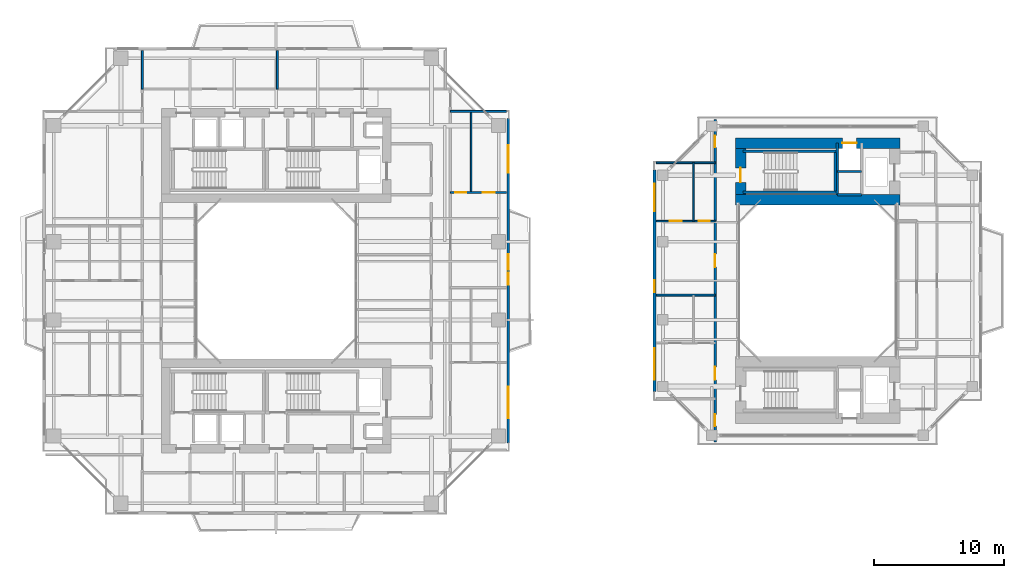
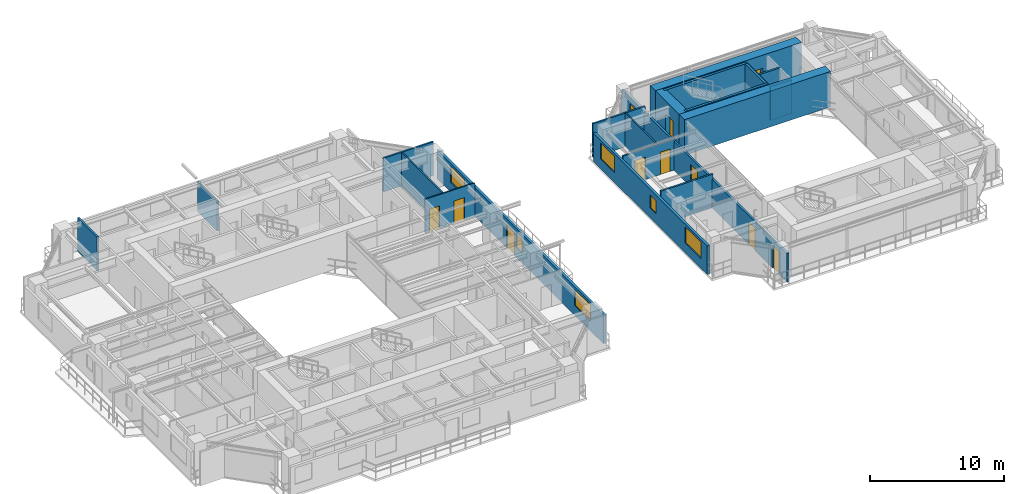
# One storey, part 18 of 24: 21 walls, 11 doors, 6 windows, 17 openings.
"""IFC4 building model written with IfcOpenShell, lengths in metres."""

from ifc_helpers import new_model, si_unit, direction, frame, frame_2d, origin, place, context, subcontext, project, spatial, rectangle, extrude, source, transform, mapped, material, layer, layer_set, type_object, element, fill, save


model = new_model("IFC4")

# Units and contexts
model_context = context("Model", 3, precision=1e-05, world=origin(), true_north=direction((0.0, 1.0)))
body_context = subcontext(model_context, "Body", "Model", "MODEL_VIEW")
ifc_project = project(units=[si_unit("LENGTHUNIT", "METRE"), si_unit("AREAUNIT", "SQUARE_METRE"), si_unit("VOLUMEUNIT", "CUBIC_METRE"), si_unit("PLANEANGLEUNIT", "RADIAN"), si_unit("MASSUNIT", "GRAM", prefix="KILO"), si_unit("THERMODYNAMICTEMPERATUREUNIT", "KELVIN"), si_unit("POWERUNIT", "WATT")], contexts=[model_context])

# Site, building, storey
site_placement = place(None, origin())
site = spatial("IfcSite", under=ifc_project, at=site_placement, CompositionType="ELEMENT")
building_placement = place(site_placement, origin())
building = spatial("IfcBuilding", under=site, at=building_placement, Name="Qiaomeng Ring Towers", CompositionType="ELEMENT")
storey_placement = place(building_placement, frame((0.0, 0.0, 106.75)))
storey = spatial("IfcBuildingStorey", under=building, at=storey_placement, Name="L30", CompositionType="ELEMENT", Elevation=106.75)

# Wall, openings, windows, door
ifc_material_1 = material(Name="Precast concrete C40", Category="concrete")
ifc_layer_1 = layer(ifc_material_1, 0.219970703125, Name="Precast concrete C40")
ifc_layer_set_1 = layer_set([ifc_layer_1], Name="Precast concrete C40")
wall_type_1 = type_object("IfcWallType", Name="ARC-WL-EW2", PredefinedType="STANDARD", material=ifc_layer_set_1)
wall_1_placement = place(storey_placement, frame((36.7900390625, 10.550048828125, 0.0), z_axis=(0.0, 0.0, 1.0), x_axis=(0.0, 1.0, 0.0)))
wall_1 = element("IfcWall", 1, at=wall_1_placement, inside=storey, type_object=wall_type_1, Name="L30 Tower 1 E Exterior Wall", PredefinedType="STANDARD", context=body_context, shape_type="SweptSolid", body=[
    extrude(rectangle(XDim=24.89990234375, YDim=0.219970703125, at=frame_2d((12.449951171875, 0.0))), origin(), (0.0, 0.0, 1.0), 2.610107421875),
])
opening_1_placement = place(wall_1_placement, frame((13.300048828125, 0.0, 0.0)))
opening_1 = element("IfcOpeningElement", 2, at=opening_1_placement, cuts=wall_1, Name="Opening BD1", PredefinedType="OPENING", context=body_context, shape_type="SweptSolid", body=[
    extrude(rectangle(XDim=1.199951171875, YDim=2.10009765625, at=frame_2d((0.60009765625, 1.050048828125))), frame((0.0, 0.119873046875, 0.0), z_axis=(0.0, -1.0, 0.0), x_axis=(1.0, 0.0, 0.0)), (0.0, 0.0, 1.0), 0.239990234375),
])
opening_2_placement = place(wall_1_placement, frame((1.912109375, 0.0, 0.89990234375)))
opening_2 = element("IfcOpeningElement", 3, at=opening_2_placement, cuts=wall_1, Name="Opening WN6", PredefinedType="OPENING", context=body_context, shape_type="SweptSolid", body=[
    extrude(rectangle(XDim=2.39990234375, YDim=1.47998046875, at=frame_2d((1.199951171875, 0.739990234375))), frame((0.0, 0.119873046875, 0.0), z_axis=(0.0, -1.0, 0.0), x_axis=(1.0, 0.0, 0.0)), (0.0, 0.0, 1.0), 0.239990234375),
])
opening_3_placement = place(wall_1_placement, frame((20.737060546875, 0.0, 0.89990234375)))
opening_3 = element("IfcOpeningElement", 4, at=opening_3_placement, cuts=wall_1, Name="Opening WN4", PredefinedType="OPENING", context=body_context, shape_type="SweptSolid", body=[
    extrude(rectangle(XDim=2.10009765625, YDim=1.47998046875, at=frame_2d((1.050048828125, 0.739990234375))), frame((0.0, 0.119873046875, 0.0), z_axis=(0.0, -1.0, 0.0), x_axis=(1.0, 0.0, 0.0)), (0.0, 0.0, 1.0), 0.239990234375),
])
opening_4_placement = place(wall_1_placement, frame((12.1650390625, 0.0, 0.89990234375)))
opening_4 = element("IfcOpeningElement", 5, at=opening_4_placement, cuts=wall_1, Name="Opening WN5", PredefinedType="OPENING", context=body_context, shape_type="SweptSolid", body=[
    extrude(rectangle(XDim=0.89990234375, YDim=1.199951171875, at=frame_2d((0.449951171875, 0.60009765625))), frame((0.0, 0.119873046875, 0.0), z_axis=(0.0, -1.0, 0.0), x_axis=(1.0, 0.0, 0.0)), (0.0, 0.0, 1.0), 0.239990234375),
])
ifc_material_2 = material(Name="Low-E dark-grey laminated double glazing", Category="glass")
window_type_1 = type_object("IfcWindowType", Name="ARC-WN-4", PartitioningType="TRIPLE_PANEL_VERTICAL", PredefinedType="WINDOW", material=ifc_material_2)
shared_shape_1 = source(origin(), body_context, "Body", "SweptSolid", [
    extrude(rectangle(XDim=2.10009765625, YDim=1.47998046875, at=frame_2d((1.050048828125, 0.739990234375))), frame((0.0, 0.030029296875, 0.0), z_axis=(0.0, -1.0, 0.0), x_axis=(1.0, 0.0, 0.0)), (0.0, 0.0, 1.0), 0.06005859375),
])
window_1_placement = place(opening_3_placement, origin())
window_1 = element("IfcWindow", 6, at=window_1_placement, inside=storey, type_object=window_type_1, Name="L30 Exterior Window WN4", OverallHeight=1.47998046875, OverallWidth=2.10009765625, PartitioningType="TRIPLE_PANEL_VERTICAL", PredefinedType="WINDOW", context=body_context, shape_type="MappedRepresentation", body=[
    mapped(shared_shape_1, transform((0.0, 0.0, 0.0), x_axis=(1.0, 0.0, 0.0), y_axis=(0.0, 1.0, 0.0), z_axis=(0.0, 0.0, 1.0), scale=1.0)),
])
fill(opening_3, window_1)
window_type_2 = type_object("IfcWindowType", Name="ARC-WN-6", PartitioningType="TRIPLE_PANEL_VERTICAL", PredefinedType="WINDOW", material=ifc_material_2)
shared_shape_2 = source(origin(), body_context, "Body", "SweptSolid", [
    extrude(rectangle(XDim=2.39990234375, YDim=1.47998046875, at=frame_2d((1.199951171875, 0.739990234375))), frame((0.0, 0.030029296875, 0.0), z_axis=(0.0, -1.0, 0.0), x_axis=(1.0, 0.0, 0.0)), (0.0, 0.0, 1.0), 0.06005859375),
])
window_2_placement = place(opening_2_placement, origin())
window_2 = element("IfcWindow", 7, at=window_2_placement, inside=storey, type_object=window_type_2, Name="L30 Exterior Window WN6", OverallHeight=1.47998046875, OverallWidth=2.39990234375, PartitioningType="TRIPLE_PANEL_VERTICAL", PredefinedType="WINDOW", context=body_context, shape_type="MappedRepresentation", body=[
    mapped(shared_shape_2, transform((0.0, 0.0, 0.0), x_axis=(1.0, 0.0, 0.0), y_axis=(0.0, 1.0, 0.0), z_axis=(0.0, 0.0, 1.0), scale=1.0)),
])
fill(opening_2, window_2)
door_type_1 = type_object("IfcDoorType", Name="ARC-DR-BD1", OperationType="NOTDEFINED", PredefinedType="DOOR", material=ifc_material_2)
shared_shape_3 = source(origin(), body_context, "Body", "SweptSolid", [
    extrude(rectangle(XDim=1.199951171875, YDim=2.10009765625, at=frame_2d((0.60009765625, 1.050048828125))), frame((0.0, 0.02490234375, 0.0), z_axis=(0.0, -1.0, 0.0), x_axis=(1.0, 0.0, 0.0)), (0.0, 0.0, 1.0), 0.050048828125),
])
door_1_placement = place(opening_1_placement, origin())
door_1 = element("IfcDoor", 8, at=door_1_placement, inside=storey, type_object=door_type_1, Name="L30 E Balcony Glazed Door", OperationType="SINGLE_SWING_LEFT", OverallHeight=2.10009765625, OverallWidth=1.199951171875, PredefinedType="DOOR", context=body_context, shape_type="MappedRepresentation", body=[
    mapped(shared_shape_3, transform((0.0, 0.0, 0.0), x_axis=(1.0, 0.0, 0.0), y_axis=(0.0, 1.0, 0.0), z_axis=(0.0, 0.0, 1.0), scale=1.0)),
])
fill(opening_1, door_1)
window_type_3 = type_object("IfcWindowType", Name="ARC-WN-5", PartitioningType="SINGLE_PANEL", PredefinedType="WINDOW", material=ifc_material_2)
shared_shape_4 = source(origin(), body_context, "Body", "SweptSolid", [
    extrude(rectangle(XDim=0.89990234375, YDim=1.199951171875, at=frame_2d((0.449951171875, 0.60009765625))), frame((0.0, 0.030029296875, 0.0), z_axis=(0.0, -1.0, 0.0), x_axis=(1.0, 0.0, 0.0)), (0.0, 0.0, 1.0), 0.06005859375),
])
window_3_placement = place(opening_4_placement, origin())
window_3 = element("IfcWindow", 9, at=window_3_placement, inside=storey, type_object=window_type_3, Name="L30 Exterior Window WN5", OverallHeight=1.199951171875, OverallWidth=0.89990234375, PartitioningType="SINGLE_PANEL", PredefinedType="WINDOW", context=body_context, shape_type="MappedRepresentation", body=[
    mapped(shared_shape_4, transform((0.0, 0.0, 0.0), x_axis=(1.0, 0.0, 0.0), y_axis=(0.0, 1.0, 0.0), z_axis=(0.0, 0.0, 1.0), scale=1.0)),
])
fill(opening_4, window_3)

# Wall, openings, windows
wall_2_placement = place(storey_placement, frame((48.010009765625, 14.5, 0.0), z_axis=(0.0, 0.0, 1.0), x_axis=(0.0, 1.0, 0.0)))
wall_2 = element("IfcWall", 10, at=wall_2_placement, inside=storey, type_object=wall_type_1, Name="L30 Companion West Wall", PredefinedType="STANDARD", context=body_context, shape_type="SweptSolid", body=[
    extrude(rectangle(XDim=17.0, YDim=0.219970703125, at=frame_2d((8.5, 0.0))), origin(), (0.0, 0.0, 1.0), 2.610107421875),
])
opening_5_placement = place(wall_2_placement, frame((0.925048828125, 0.0, 0.89990234375)))
opening_5 = element("IfcOpeningElement", 11, at=opening_5_placement, cuts=wall_2, Name="Opening WN6", PredefinedType="OPENING", context=body_context, shape_type="SweptSolid", body=[
    extrude(rectangle(XDim=2.39990234375, YDim=1.47998046875, at=frame_2d((1.199951171875, 0.739990234375))), frame((0.0, 0.119873046875, 0.0), z_axis=(0.0, -1.0, 0.0), x_axis=(1.0, 0.0, 0.0)), (0.0, 0.0, 1.0), 0.239990234375),
])
opening_6_placement = place(wall_2_placement, frame((13.824951171875, 0.0, 0.89990234375)))
opening_6 = element("IfcOpeningElement", 12, at=opening_6_placement, cuts=wall_2, Name="Opening WN4", PredefinedType="OPENING", context=body_context, shape_type="SweptSolid", body=[
    extrude(rectangle(XDim=2.10009765625, YDim=1.47998046875, at=frame_2d((1.050048828125, 0.739990234375))), frame((0.0, 0.119873046875, 0.0), z_axis=(0.0, -1.0, 0.0), x_axis=(1.0, 0.0, 0.0)), (0.0, 0.0, 1.0), 0.239990234375),
])
opening_7_placement = place(wall_2_placement, frame((7.635009765625, 0.0, 0.89990234375)))
opening_7 = element("IfcOpeningElement", 13, at=opening_7_placement, cuts=wall_2, Name="Opening WN5", PredefinedType="OPENING", context=body_context, shape_type="SweptSolid", body=[
    extrude(rectangle(XDim=0.89990234375, YDim=1.199951171875, at=frame_2d((0.449951171875, 0.60009765625))), frame((0.0, 0.119873046875, 0.0), z_axis=(0.0, -1.0, 0.0), x_axis=(1.0, 0.0, 0.0)), (0.0, 0.0, 1.0), 0.239990234375),
])
window_4_placement = place(opening_6_placement, origin())
window_4 = element("IfcWindow", 14, at=window_4_placement, inside=storey, type_object=window_type_1, Name="L30 Exterior Window WN4", OverallHeight=1.47998046875, OverallWidth=2.10009765625, PartitioningType="TRIPLE_PANEL_VERTICAL", PredefinedType="WINDOW", context=body_context, shape_type="MappedRepresentation", body=[
    mapped(shared_shape_1, transform((0.0, 0.0, 0.0), x_axis=(1.0, 0.0, 0.0), y_axis=(0.0, 1.0, 0.0), z_axis=(0.0, 0.0, 1.0), scale=1.0)),
])
fill(opening_6, window_4)
window_5_placement = place(opening_5_placement, origin())
window_5 = element("IfcWindow", 15, at=window_5_placement, inside=storey, type_object=window_type_2, Name="L30 Exterior Window WN6", OverallHeight=1.47998046875, OverallWidth=2.39990234375, PartitioningType="TRIPLE_PANEL_VERTICAL", PredefinedType="WINDOW", context=body_context, shape_type="MappedRepresentation", body=[
    mapped(shared_shape_2, transform((0.0, 0.0, 0.0), x_axis=(1.0, 0.0, 0.0), y_axis=(0.0, 1.0, 0.0), z_axis=(0.0, 0.0, 1.0), scale=1.0)),
])
fill(opening_5, window_5)
window_6_placement = place(opening_7_placement, origin())
window_6 = element("IfcWindow", 16, at=window_6_placement, inside=storey, type_object=window_type_3, Name="L30 Exterior Window WN5", OverallHeight=1.199951171875, OverallWidth=0.89990234375, PartitioningType="SINGLE_PANEL", PredefinedType="WINDOW", context=body_context, shape_type="MappedRepresentation", body=[
    mapped(shared_shape_4, transform((0.0, 0.0, 0.0), x_axis=(1.0, 0.0, 0.0), y_axis=(0.0, 1.0, 0.0), z_axis=(0.0, 0.0, 1.0), scale=1.0)),
])
fill(opening_7, window_6)

# Wall, openings, doors
ifc_material_3 = material(Name="Autoclaved aerated concrete block", Category="concrete")
ifc_layer_2 = layer(ifc_material_3, 0.179931640625, Name="Autoclaved aerated concrete block")
ifc_layer_set_2 = layer_set([ifc_layer_2], Name="Autoclaved aerated concrete block")
wall_type_2 = type_object("IfcWallType", Name="ARC-WL-PW2", PredefinedType="PARTITIONING", material=ifc_layer_set_2)
wall_3_placement = place(storey_placement, frame((52.64990234375, 10.64990234375, 0.0), z_axis=(0.0, 0.0, 1.0), x_axis=(0.0, 1.0, 0.0)))
wall_3 = element("IfcWall", 17, at=wall_3_placement, inside=storey, type_object=wall_type_2, Name="L30 Interior Wall PW2", PredefinedType="PARTITIONING", context=body_context, shape_type="SweptSolid", body=[
    extrude(rectangle(XDim=24.7001953125, YDim=0.179931640625, at=frame_2d((12.35009765625, 0.0))), origin(), (0.0, 0.0, 1.0), 2.614990234375),
])
opening_8_placement = place(wall_3_placement, frame((22.580078125, 0.0, 0.0)))
opening_8 = element("IfcOpeningElement", 18, at=opening_8_placement, cuts=wall_3, Name="Opening ID1", PredefinedType="OPENING", context=body_context, shape_type="SweptSolid", body=[
    extrude(rectangle(XDim=0.89990234375, YDim=2.050048828125, at=frame_2d((0.449951171875, 1.02490234375))), frame((0.0, 0.099853515625, 0.0), z_axis=(0.0, -1.0, 0.0), x_axis=(1.0, 0.0, 0.0)), (0.0, 0.0, 1.0), 0.199951171875),
])
opening_9_placement = place(wall_3_placement, frame((1.219970703125, 0.0, 0.0)))
opening_9 = element("IfcOpeningElement", 19, at=opening_9_placement, cuts=wall_3, Name="Opening ID1", PredefinedType="OPENING", context=body_context, shape_type="SweptSolid", body=[
    extrude(rectangle(XDim=0.89990234375, YDim=2.050048828125, at=frame_2d((0.449951171875, 1.02490234375))), frame((0.0, 0.099853515625, 0.0), z_axis=(0.0, -1.0, 0.0), x_axis=(1.0, 0.0, 0.0)), (0.0, 0.0, 1.0), 0.199951171875),
])
opening_10_placement = place(wall_3_placement, frame((4.7548828125, 0.0, 0.0)))
opening_10 = element("IfcOpeningElement", 20, at=opening_10_placement, cuts=wall_3, Name="Opening FD4", PredefinedType="OPENING", context=body_context, shape_type="SweptSolid", body=[
    extrude(rectangle(XDim=1.0, YDim=2.050048828125, at=frame_2d((0.5, 1.02490234375))), frame((0.0, 0.099853515625, 0.0), z_axis=(0.0, -1.0, 0.0), x_axis=(1.0, 0.0, 0.0)), (0.0, 0.0, 1.0), 0.199951171875),
])
opening_11_placement = place(wall_3_placement, frame((13.39990234375, 0.0, 0.0)))
opening_11 = element("IfcOpeningElement", 21, at=opening_11_placement, cuts=wall_3, Name="Opening FD4", PredefinedType="OPENING", context=body_context, shape_type="SweptSolid", body=[
    extrude(rectangle(XDim=1.0, YDim=2.050048828125, at=frame_2d((0.5, 1.02490234375))), frame((0.0, 0.099853515625, 0.0), z_axis=(0.0, -1.0, 0.0), x_axis=(1.0, 0.0, 0.0)), (0.0, 0.0, 1.0), 0.199951171875),
])
ifc_material_4 = material(Name="Engineered fire-rated oak timber", Category="wood")
door_type_2 = type_object("IfcDoorType", Name="ARC-DR-FD4", OperationType="NOTDEFINED", PredefinedType="DOOR", material=ifc_material_4)
shared_shape_5 = source(origin(), body_context, "Body", "SweptSolid", [
    extrude(rectangle(XDim=1.0, YDim=2.050048828125, at=frame_2d((0.5, 1.02490234375))), frame((0.0, 0.02490234375, 0.0), z_axis=(0.0, -1.0, 0.0), x_axis=(1.0, 0.0, 0.0)), (0.0, 0.0, 1.0), 0.050048828125),
])
door_2_placement = place(opening_10_placement, origin())
door_2 = element("IfcDoor", 22, at=door_2_placement, inside=storey, type_object=door_type_2, Name="L30 Door FD4", OperationType="SINGLE_SWING_LEFT", OverallHeight=2.050048828125, OverallWidth=1.0, PredefinedType="DOOR", context=body_context, shape_type="MappedRepresentation", body=[
    mapped(shared_shape_5, transform((0.0, 0.0, 0.0), x_axis=(1.0, 0.0, 0.0), y_axis=(0.0, 1.0, 0.0), z_axis=(0.0, 0.0, 1.0), scale=1.0)),
])
fill(opening_10, door_2)
door_3_placement = place(opening_11_placement, origin())
door_3 = element("IfcDoor", 23, at=door_3_placement, inside=storey, type_object=door_type_2, Name="L30 Door FD4", OperationType="SINGLE_SWING_RIGHT", OverallHeight=2.050048828125, OverallWidth=1.0, PredefinedType="DOOR", context=body_context, shape_type="MappedRepresentation", body=[
    mapped(shared_shape_5, transform((0.0, 0.0, 0.0), x_axis=(1.0, 0.0, 0.0), y_axis=(0.0, 1.0, 0.0), z_axis=(0.0, 0.0, 1.0), scale=1.0)),
])
fill(opening_11, door_3)
ifc_material_5 = material(Name="Engineered oak timber", Category="wood")
door_type_3 = type_object("IfcDoorType", Name="ARC-DR-ID1", OperationType="NOTDEFINED", PredefinedType="DOOR", material=ifc_material_5)
shared_shape_6 = source(origin(), body_context, "Body", "SweptSolid", [
    extrude(rectangle(XDim=0.89990234375, YDim=2.050048828125, at=frame_2d((0.449951171875, 1.02490234375))), frame((0.0, 0.02490234375, 0.0), z_axis=(0.0, -1.0, 0.0), x_axis=(1.0, 0.0, 0.0)), (0.0, 0.0, 1.0), 0.050048828125),
])
door_4_placement = place(opening_8_placement, origin())
door_4 = element("IfcDoor", 24, at=door_4_placement, inside=storey, type_object=door_type_3, Name="L30 Door ID1", OperationType="SINGLE_SWING_LEFT", OverallHeight=2.050048828125, OverallWidth=0.89990234375, PredefinedType="DOOR", context=body_context, shape_type="MappedRepresentation", body=[
    mapped(shared_shape_6, transform((0.0, 0.0, 0.0), x_axis=(1.0, 0.0, 0.0), y_axis=(0.0, 1.0, 0.0), z_axis=(0.0, 0.0, 1.0), scale=1.0)),
])
fill(opening_8, door_4)
door_5_placement = place(opening_9_placement, origin())
door_5 = element("IfcDoor", 25, at=door_5_placement, inside=storey, type_object=door_type_3, Name="L30 Door ID1", OperationType="SINGLE_SWING_RIGHT", OverallHeight=2.050048828125, OverallWidth=0.89990234375, PredefinedType="DOOR", context=body_context, shape_type="MappedRepresentation", body=[
    mapped(shared_shape_6, transform((0.0, 0.0, 0.0), x_axis=(1.0, 0.0, 0.0), y_axis=(0.0, 1.0, 0.0), z_axis=(0.0, 0.0, 1.0), scale=1.0)),
])
fill(opening_9, door_5)

# Walls
ifc_material_6 = material(Name="Gypsum fireboard steel-stud partition", Category="steel")
ifc_layer_3 = layer(ifc_material_6, 0.14990234375, Name="Gypsum fireboard steel-stud partition")
ifc_layer_set_3 = layer_set([ifc_layer_3], Name="Gypsum fireboard steel-stud partition")
wall_type_3 = type_object("IfcWallType", Name="ARC-WL-PW3", PredefinedType="PARTITIONING", material=ifc_layer_set_3)
wall_4_placement = place(storey_placement, frame((19.10009765625, 37.699951171875, 0.0), z_axis=(0.0, 0.0, 1.0), x_axis=(0.0, 1.0, 0.0)))
element("IfcWall", 26, at=wall_4_placement, inside=storey, type_object=wall_type_3, Name="L30 Interior Wall PW3", PredefinedType="PARTITIONING", context=body_context, shape_type="SweptSolid", body=[
    extrude(rectangle(XDim=2.949951171875, YDim=0.14990234375, at=frame_2d((1.47509765625, 0.0))), origin(), (0.0, 0.0, 1.0), 2.715087890625),
])
wall_5_placement = place(storey_placement, frame((8.75, 37.699951171875, 0.0), z_axis=(0.0, 0.0, 1.0), x_axis=(0.0, 1.0, 0.0)))
element("IfcWall", 27, at=wall_5_placement, inside=storey, type_object=wall_type_3, Name="L30 Interior Wall PW3", PredefinedType="PARTITIONING", context=body_context, shape_type="SweptSolid", body=[
    extrude(rectangle(XDim=2.949951171875, YDim=0.14990234375, at=frame_2d((1.47509765625, 0.0))), origin(), (0.0, 0.0, 1.0), 3.070068359375),
])
wall_6_placement = place(storey_placement, frame((32.360107421875, 35.97998046875, 0.0), z_axis=(0.0, 0.0, 1.0), x_axis=(1.0, 0.0, 0.0)))
element("IfcWall", 28, at=wall_6_placement, inside=storey, type_object=wall_type_3, Name="L30 Interior Wall PW3", PredefinedType="PARTITIONING", context=body_context, shape_type="SweptSolid", body=[
    extrude(rectangle(XDim=4.289794921875, YDim=0.14990234375, at=frame_2d((2.14501953125, 0.0))), origin(), (0.0, 0.0, 1.0), 3.070068359375),
])
for number, where, z_axis, x_axis, name in (
    (29, (48.14990234375, 32.050048828125, 0.0), (0.0, 0.0, 1.0), (1.0, 0.0, 0.0), "L30 Interior Wall PW3"),
    (30, (48.14990234375, 21.89990234375, 0.0), (0.0, 0.0, 1.0), (1.0, 0.0, 0.0), "L30 Interior Wall PW3"),
):
    element("IfcWall", number, at=place(storey_placement, frame(where, z_axis=z_axis, x_axis=x_axis)), inside=storey, type_object=wall_type_3, Name=name, PredefinedType="PARTITIONING", context=body_context, shape_type="SweptSolid", body=[
        extrude(rectangle(XDim=4.5, YDim=0.14990234375, at=frame_2d((2.25, 0.0))), origin(), (0.0, 0.0, 1.0), 3.070068359375),
    ])

# Wall, openings, doors
ifc_material_7 = material(Name="Moisture-resistant gypsum steel-stud partition", Category="steel")
ifc_layer_4 = layer(ifc_material_7, 0.1201171875, Name="Moisture-resistant gypsum steel-stud partition")
ifc_layer_set_4 = layer_set([ifc_layer_4], Name="Moisture-resistant gypsum steel-stud partition")
wall_type_4 = type_object("IfcWallType", Name="ARC-WL-PW4", PredefinedType="PLUMBINGWALL", material=ifc_layer_set_4)
wall_7_placement = place(storey_placement, frame((32.360107421875, 29.77001953125, 0.0), z_axis=(0.0, 0.0, 1.0), x_axis=(1.0, 0.0, 0.0)))
wall_7 = element("IfcWall", 31, at=wall_7_placement, inside=storey, type_object=wall_type_4, Name="L30 Interior Wall PW4", PredefinedType="PLUMBINGWALL", context=body_context, shape_type="SweptSolid", body=[
    extrude(rectangle(XDim=4.289794921875, YDim=0.1201171875, at=frame_2d((2.14501953125, 0.0))), origin(), (0.0, 0.0, 1.0), 3.070068359375),
])
opening_12_placement = place(wall_7_placement, frame((0.3798828125, 0.0, 0.0)))
opening_12 = element("IfcOpeningElement", 32, at=opening_12_placement, cuts=wall_7, Name="Opening ID2", PredefinedType="OPENING", context=body_context, shape_type="SweptSolid", body=[
    extrude(rectangle(XDim=0.85009765625, YDim=2.050048828125, at=frame_2d((0.425048828125, 1.02490234375))), frame((0.0, 0.070068359375, 0.0), z_axis=(0.0, -1.0, 0.0), x_axis=(1.0, 0.0, 0.0)), (0.0, 0.0, 1.0), 0.14013671875),
])
opening_13_placement = place(wall_7_placement, frame((2.47998046875, 0.0, 0.0)))
opening_13 = element("IfcOpeningElement", 33, at=opening_13_placement, cuts=wall_7, Name="Opening ID1", PredefinedType="OPENING", context=body_context, shape_type="SweptSolid", body=[
    extrude(rectangle(XDim=0.89990234375, YDim=2.050048828125, at=frame_2d((0.449951171875, 1.02490234375))), frame((0.0, 0.070068359375, 0.0), z_axis=(0.0, -1.0, 0.0), x_axis=(1.0, 0.0, 0.0)), (0.0, 0.0, 1.0), 0.14013671875),
])
ifc_material_8 = material(Name="Moisture-resistant engineered timber", Category="wood")
door_type_4 = type_object("IfcDoorType", Name="ARC-DR-ID2", OperationType="NOTDEFINED", PredefinedType="DOOR", material=ifc_material_8)
shared_shape_7 = source(origin(), body_context, "Body", "SweptSolid", [
    extrude(rectangle(XDim=0.85009765625, YDim=2.050048828125, at=frame_2d((0.425048828125, 1.02490234375))), frame((0.0, 0.02490234375, 0.0), z_axis=(0.0, -1.0, 0.0), x_axis=(1.0, 0.0, 0.0)), (0.0, 0.0, 1.0), 0.050048828125),
])
door_6_placement = place(opening_12_placement, origin())
door_6 = element("IfcDoor", 34, at=door_6_placement, inside=storey, type_object=door_type_4, Name="L30 Door ID2", OperationType="SINGLE_SWING_LEFT", OverallHeight=2.050048828125, OverallWidth=0.85009765625, PredefinedType="DOOR", context=body_context, shape_type="MappedRepresentation", body=[
    mapped(shared_shape_7, transform((0.0, 0.0, 0.0), x_axis=(1.0, 0.0, 0.0), y_axis=(0.0, 1.0, 0.0), z_axis=(0.0, 0.0, 1.0), scale=1.0)),
])
fill(opening_12, door_6)
door_7_placement = place(opening_13_placement, origin())
door_7 = element("IfcDoor", 35, at=door_7_placement, inside=storey, type_object=door_type_3, Name="L30 Door ID1", OperationType="SINGLE_SWING_RIGHT", OverallHeight=2.050048828125, OverallWidth=0.89990234375, PredefinedType="DOOR", context=body_context, shape_type="MappedRepresentation", body=[
    mapped(shared_shape_6, transform((0.0, 0.0, 0.0), x_axis=(1.0, 0.0, 0.0), y_axis=(0.0, 1.0, 0.0), z_axis=(0.0, 0.0, 1.0), scale=1.0)),
])
fill(opening_13, door_7)

# Wall
wall_8_placement = place(storey_placement, frame((33.949951171875, 29.77001953125, 0.0), z_axis=(0.0, 0.0, 1.0), x_axis=(0.0, 1.0, 0.0)))
element("IfcWall", 36, at=wall_8_placement, inside=storey, type_object=wall_type_4, Name="L30 Interior Wall PW4", PredefinedType="PLUMBINGWALL", context=body_context, shape_type="SweptSolid", body=[
    extrude(rectangle(XDim=6.2099609375, YDim=0.1201171875, at=frame_2d((3.10498046875, 0.0))), origin(), (0.0, 0.0, 1.0), 3.070068359375),
])

# Wall, openings, doors
wall_9_placement = place(storey_placement, frame((48.14990234375, 27.580078125, 0.0), z_axis=(0.0, 0.0, 1.0), x_axis=(1.0, 0.0, 0.0)))
wall_9 = element("IfcWall", 37, at=wall_9_placement, inside=storey, type_object=wall_type_4, Name="L30 Interior Wall PW4", PredefinedType="PLUMBINGWALL", context=body_context, shape_type="SweptSolid", body=[
    extrude(rectangle(XDim=4.5, YDim=0.1201171875, at=frame_2d((2.25, 0.0))), origin(), (0.0, 0.0, 1.0), 2.81494140625),
])
opening_14_placement = place(wall_9_placement, frame((1.035888671875, 0.0, 0.0)))
opening_14 = element("IfcOpeningElement", 38, at=opening_14_placement, cuts=wall_9, Name="Opening ID1", PredefinedType="OPENING", context=body_context, shape_type="SweptSolid", body=[
    extrude(rectangle(XDim=0.89990234375, YDim=2.050048828125, at=frame_2d((0.449951171875, 1.02490234375))), frame((0.0, 0.070068359375, 0.0), z_axis=(0.0, -1.0, 0.0), x_axis=(1.0, 0.0, 0.0)), (0.0, 0.0, 1.0), 0.14013671875),
])
opening_15_placement = place(wall_9_placement, frame((3.22998046875, 0.0, 0.0)))
opening_15 = element("IfcOpeningElement", 39, at=opening_15_placement, cuts=wall_9, Name="Opening ID2", PredefinedType="OPENING", context=body_context, shape_type="SweptSolid", body=[
    extrude(rectangle(XDim=0.85009765625, YDim=2.050048828125, at=frame_2d((0.425048828125, 1.02490234375))), frame((0.0, 0.070068359375, 0.0), z_axis=(0.0, -1.0, 0.0), x_axis=(1.0, 0.0, 0.0)), (0.0, 0.0, 1.0), 0.14013671875),
])
door_8_placement = place(opening_15_placement, origin())
door_8 = element("IfcDoor", 40, at=door_8_placement, inside=storey, type_object=door_type_4, Name="L30 Door ID2", OperationType="SINGLE_SWING_RIGHT", OverallHeight=2.050048828125, OverallWidth=0.85009765625, PredefinedType="DOOR", context=body_context, shape_type="MappedRepresentation", body=[
    mapped(shared_shape_7, transform((0.0, 0.0, 0.0), x_axis=(1.0, 0.0, 0.0), y_axis=(0.0, 1.0, 0.0), z_axis=(0.0, 0.0, 1.0), scale=1.0)),
])
fill(opening_15, door_8)
door_9_placement = place(opening_14_placement, origin())
door_9 = element("IfcDoor", 41, at=door_9_placement, inside=storey, type_object=door_type_3, Name="L30 Door ID1", OperationType="SINGLE_SWING_LEFT", OverallHeight=2.050048828125, OverallWidth=0.89990234375, PredefinedType="DOOR", context=body_context, shape_type="MappedRepresentation", body=[
    mapped(shared_shape_6, transform((0.0, 0.0, 0.0), x_axis=(1.0, 0.0, 0.0), y_axis=(0.0, 1.0, 0.0), z_axis=(0.0, 0.0, 1.0), scale=1.0)),
])
fill(opening_14, door_9)

# Walls
wall_10_placement = place(storey_placement, frame((50.97998046875, 27.580078125, 0.0), z_axis=(0.0, 0.0, 1.0), x_axis=(0.0, 1.0, 0.0)))
element("IfcWall", 42, at=wall_10_placement, inside=storey, type_object=wall_type_4, Name="L30 Interior Wall PW4", PredefinedType="PLUMBINGWALL", context=body_context, shape_type="SweptSolid", body=[
    extrude(rectangle(XDim=4.469970703125, YDim=0.1201171875, at=frame_2d((2.23486328125, 0.0))), origin(), (0.0, 0.0, 1.0), 3.070068359375),
])
ifc_material_9 = material(Name="Concrete C40", Category="concrete")
ifc_layer_5 = layer(ifc_material_9, 0.199951171875, Name="Concrete C40")
ifc_layer_set_5 = layer_set([ifc_layer_5], Name="Concrete C40")
wall_type_5 = type_object("IfcWallType", Name="STR-WL-STSHAFT", PredefinedType="SHEAR", material=ifc_layer_set_5)
wall_11_placement = place(storey_placement, frame((62.02001953125, 29.60009765625, 0.0), z_axis=(0.0, 0.0, 1.0), x_axis=(0.0, 1.0, 0.0)))
element("IfcWall", 43, at=wall_11_placement, inside=storey, type_object=wall_type_5, Name="L30 Companion Lift Shaft West Wall N", PredefinedType="SHEAR", context=body_context, shape_type="SweptSolid", body=[
    extrude(rectangle(XDim=3.949951171875, YDim=0.179931640625, at=frame_2d((1.97509765625, 0.0))), origin(), (0.0, 0.0, 1.0), 3.070068359375),
])
for number, where, z_axis, x_axis, name in (
    (44, (62.02001953125, 31.3798828125, 0.0), (0.0, 0.0, 1.0), (1.0, 0.0, 0.0), "L30 Companion Lift Shaft Divider Wall N"),
    (45, (62.02001953125, 29.60009765625, 0.0), (0.0, 0.0, 1.0), (1.0, 0.0, 0.0), "L30 Companion Riser Shaft Back Wall N"),
):
    element("IfcWall", number, at=place(storey_placement, frame(where, z_axis=z_axis, x_axis=x_axis)), inside=storey, type_object=wall_type_5, Name=name, PredefinedType="SHEAR", context=body_context, shape_type="SweptSolid", body=[
        extrude(rectangle(XDim=1.85986328125, YDim=0.179931640625, at=frame_2d((0.929931640625, 0.0))), origin(), (0.0, 0.0, 1.0), 3.070068359375),
    ])
for number, where, z_axis, x_axis, name in (
    (46, (54.800048828125, 29.800048828125, 0.0), (0.0, 0.0, 1.0), (1.0, 0.0, 0.0), "L30 Stair ST5 South Shaft Shear Wall"),
    (47, (54.800048828125, 32.93994140625, 0.0), (0.0, 0.0, 1.0), (1.0, 0.0, 0.0), "L30 Stair ST5 North Shaft Shear Wall"),
):
    element("IfcWall", number, at=place(storey_placement, frame(where, z_axis=z_axis, x_axis=x_axis)), inside=storey, type_object=wall_type_5, Name=name, PredefinedType="SHEAR", context=body_context, shape_type="SweptSolid", body=[
        extrude(rectangle(XDim=7.14990234375, YDim=0.199951171875, at=frame_2d((3.574951171875, 0.0))), origin(), (0.0, 0.0, 1.0), 3.25),
    ])
wall_12_placement = place(storey_placement, frame((61.85009765625, 29.89990234375, 0.0), z_axis=(0.0, 0.0, 1.0), x_axis=(0.0, 1.0, 0.0)))
element("IfcWall", 48, at=wall_12_placement, inside=storey, type_object=wall_type_5, Name="L30 Stair ST5 East Shaft Shear Wall", PredefinedType="SHEAR", context=body_context, shape_type="SweptSolid", body=[
    extrude(rectangle(XDim=2.940185546875, YDim=0.199951171875, at=frame_2d((1.47021484375, 0.0))), origin(), (0.0, 0.0, 1.0), 3.25),
])
ifc_material_10 = material(Name="Concrete C60", Category="concrete")
ifc_layer_6 = layer(ifc_material_10, 0.800048828125, Name="Concrete C60")
ifc_layer_set_6 = layer_set([ifc_layer_6], Name="Concrete C60")
wall_type_6 = type_object("IfcWallType", Name="STR-WL-SW1", PredefinedType="SHEAR", material=ifc_layer_set_6)
wall_13_placement = place(storey_placement, frame((54.199951171875, 29.199951171875, 0.0), z_axis=(0.0, 0.0, 1.0), x_axis=(1.0, 0.0, 0.0)))
element("IfcWall", 49, at=wall_13_placement, inside=storey, type_object=wall_type_6, Name="L30 T2NC south core shear wall", PredefinedType="SHEAR", context=body_context, shape_type="SweptSolid", body=[
    extrude(rectangle(XDim=12.60009765625, YDim=0.800048828125, at=frame_2d((6.300048828125, 0.0))), origin(), (0.0, 0.0, 1.0), 3.25),
])

# Wall, opening, door
wall_14_placement = place(storey_placement, frame((54.199951171875, 33.550048828125, 0.0), z_axis=(0.0, 0.0, 1.0), x_axis=(1.0, 0.0, 0.0)))
wall_14 = element("IfcWall", 50, at=wall_14_placement, inside=storey, type_object=wall_type_6, Name="L30 T2NC north core shear wall", PredefinedType="SHEAR", context=body_context, shape_type="SweptSolid", body=[
    extrude(rectangle(XDim=12.60009765625, YDim=0.800048828125, at=frame_2d((6.300048828125, 0.0))), origin(), (0.0, 0.0, 1.0), 3.25),
])
opening_16_placement = place(wall_14_placement, frame((8.199951171875, 0.0, 0.0)))
opening_16 = element("IfcOpeningElement", 51, at=opening_16_placement, cuts=wall_14, Name="Opening LD1", PredefinedType="OPENING", context=body_context, shape_type="SweptSolid", body=[
    extrude(rectangle(XDim=1.10009765625, YDim=2.050048828125, at=frame_2d((0.550048828125, 1.02490234375))), frame((0.0, 0.409912109375, 0.0), z_axis=(0.0, -1.0, 0.0), x_axis=(1.0, 0.0, 0.0)), (0.0, 0.0, 1.0), 0.820068359375),
])
ifc_material_11 = material(Name="Stainless steel 316", Category="steel")
door_type_5 = type_object("IfcDoorType", Name="ARC-DR-LD1", OperationType="NOTDEFINED", PredefinedType="DOOR", material=ifc_material_11)
shared_shape_8 = source(origin(), body_context, "Body", "SweptSolid", [
    extrude(rectangle(XDim=1.10009765625, YDim=2.050048828125, at=frame_2d((0.550048828125, 1.02490234375))), frame((0.0, 0.02490234375, 0.0), z_axis=(0.0, -1.0, 0.0), x_axis=(1.0, 0.0, 0.0)), (0.0, 0.0, 1.0), 0.050048828125),
])
door_10_placement = place(opening_16_placement, origin())
door_10 = element("IfcDoor", 52, at=door_10_placement, inside=storey, type_object=door_type_5, Name="L30 Companion Lift LP7 Landing Door", OperationType="SLIDING_TO_LEFT", OverallHeight=2.050048828125, OverallWidth=1.10009765625, PredefinedType="DOOR", context=body_context, shape_type="MappedRepresentation", body=[
    mapped(shared_shape_8, transform((0.0, 0.0, 0.0), x_axis=(1.0, 0.0, 0.0), y_axis=(0.0, 1.0, 0.0), z_axis=(0.0, 0.0, 1.0), scale=1.0)),
])
fill(opening_16, door_10)

wall_15_placement = place(storey_placement, frame((54.60009765625, 29.60009765625, 0.0), z_axis=(0.0, 0.0, 1.0), x_axis=(0.0, 1.0, 0.0)))
wall_15 = element("IfcWall", 53, at=wall_15_placement, inside=storey, type_object=wall_type_6, Name="L30 T2NC west core shear wall", PredefinedType="SHEAR", context=body_context, shape_type="SweptSolid", body=[
    extrude(rectangle(XDim=3.5498046875, YDim=0.800048828125, at=frame_2d((1.77490234375, 0.0))), origin(), (0.0, 0.0, 1.0), 3.25),
])
opening_17_placement = place(wall_15_placement, frame((0.949951171875, 0.0, 0.0)))
opening_17 = element("IfcOpeningElement", 54, at=opening_17_placement, cuts=wall_15, Name="Opening FD3", PredefinedType="OPENING", context=body_context, shape_type="SweptSolid", body=[
    extrude(rectangle(XDim=1.10009765625, YDim=2.050048828125, at=frame_2d((0.550048828125, 1.02490234375))), frame((0.0, 0.409912109375, 0.0), z_axis=(0.0, -1.0, 0.0), x_axis=(1.0, 0.0, 0.0)), (0.0, 0.0, 1.0), 0.820068359375),
])
ifc_material_12 = material(Name="Galvanised steel", Category="steel")
door_type_6 = type_object("IfcDoorType", Name="ARC-DR-FD3", OperationType="NOTDEFINED", PredefinedType="DOOR", material=ifc_material_12)
door_11_placement = place(opening_17_placement, origin())
door_11 = element("IfcDoor", 55, at=door_11_placement, inside=storey, type_object=door_type_6, Name="L30 Stair ST5 Exit Door", OperationType="SINGLE_SWING_RIGHT", OverallHeight=2.050048828125, OverallWidth=1.10009765625, PredefinedType="DOOR", context=body_context, shape_type="MappedRepresentation", body=[
    mapped(shared_shape_8, transform((0.0, 0.0, 0.0), x_axis=(1.0, 0.0, 0.0), y_axis=(0.0, 1.0, 0.0), z_axis=(0.0, 0.0, 1.0), scale=1.0)),
])
fill(opening_17, door_11)

save(model, "model.ifc")
